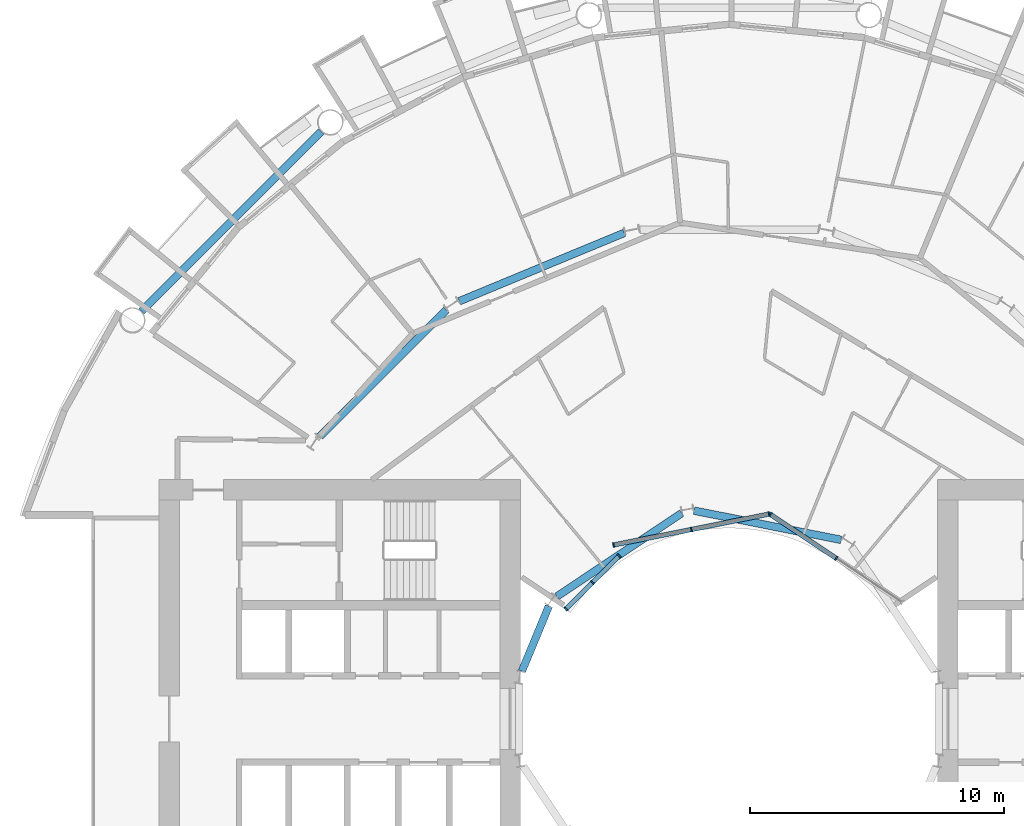
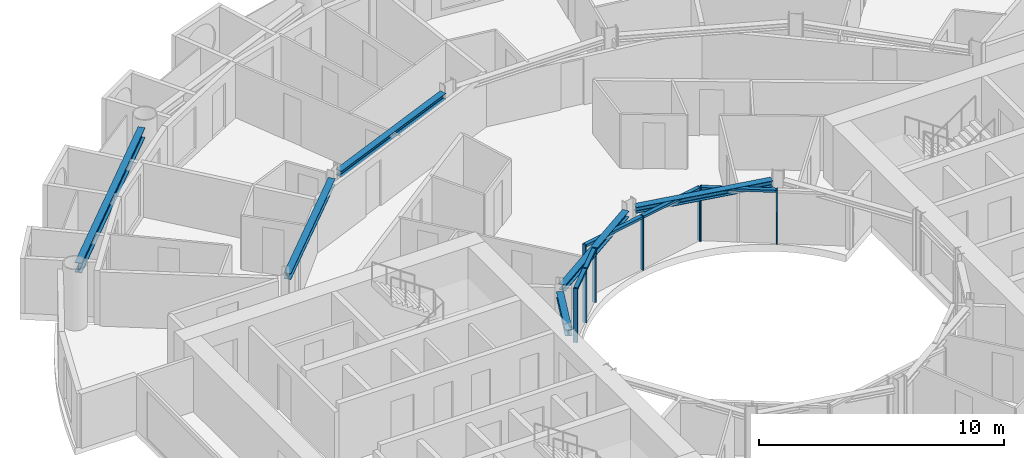
# One storey, part 7 of 26: 13 members, 6 beams, 3 elements without a shape of their own.
"""IFC4 building model written with IfcOpenShell, lengths in metres."""

from ifc_helpers import new_model, si_unit, direction, frame, origin, origin_2d, place, context, subcontext, project, spatial, rectangle, i_section, extrude, material, layer, layer_set, material_profile, profile_set, type_object, element, aggregate, save


model = new_model("IFC4")

# Units and contexts
model_context = context("Model", 3, precision=1e-05, world=origin(), true_north=direction((0.0, 1.0)))
body_context = subcontext(model_context, "Body", "Model", "MODEL_VIEW")
ifc_project = project(units=[si_unit("LENGTHUNIT", "METRE"), si_unit("AREAUNIT", "SQUARE_METRE"), si_unit("VOLUMEUNIT", "CUBIC_METRE"), si_unit("PLANEANGLEUNIT", "RADIAN"), si_unit("MASSUNIT", "GRAM", prefix="KILO")], contexts=[model_context])

# Site, building, storey
site_placement = place(None, origin())
site = spatial("IfcSite", under=ifc_project, at=site_placement, CompositionType="ELEMENT")
building_placement = place(site_placement, origin())
building = spatial("IfcBuilding", under=site, at=building_placement, Name="Maasbend Ring Residences", CompositionType="ELEMENT")
storey_placement = place(building_placement, frame((0.0, 0.0, 50.25)))
storey = spatial("IfcBuildingStorey", under=building, at=storey_placement, Name="L14", CompositionType="ELEMENT", Elevation=50.25)

# Curtain wall, members
ifc_material_1 = material(Name="Aluminium and clear glass", Category="aluminium")
ifc_layer = layer(ifc_material_1, 0.179931640625)
ifc_layer_set = layer_set([ifc_layer], Name="CW-W")
curtain_wall_type = type_object("IfcCurtainWallType", Name="CW-W", PredefinedType="NOTDEFINED", material=ifc_layer_set)
curtain_wall_1_placement = place(storey_placement, origin())
curtain_wall_1 = element("IfcCurtainWall", 1, at=curtain_wall_1_placement, inside=storey, type_object=curtain_wall_type, Name="Well curtain wall N1", PredefinedType="NOTDEFINED")
ifc_material_2 = material(Name="Aluminium 6063-T6", Category="aluminium")
ifc_material_profile_1 = material_profile(ifc_material_2, rectangle(XDim=0.179931640625, YDim=0.06005859375, at=origin_2d()), Name="AL 180x60")
ifc_profile_set_1 = profile_set([ifc_material_profile_1], Name="Aluminium 6063-T6")
member_type_1 = type_object("IfcMemberType", Name="CWM-W", PredefinedType="MULLION", material=ifc_profile_set_1)
member_1_placement = place(storey_placement, frame((4.216796875, 6.310791015625, 0.0), z_axis=(0.0, 0.0, 1.0), x_axis=(-0.55557023302, -0.831469612303, 0.0)))
member_1 = element("IfcMember", 2, at=member_1_placement, type_object=member_type_1, Name="Mullion well face", PredefinedType="MULLION", context=body_context, shape_type="SweptSolid", body=[
    extrude(rectangle(XDim=0.179931640625, YDim=0.06005859375, at=origin_2d()), origin(), (0.0, 0.0, 1.0), 2.699951171875),
])
member_2_placement = place(storey_placement, frame((1.627685546875, 8.040771484375, 0.0), z_axis=(0.0, 0.0, 1.0), x_axis=(-0.55557023302, -0.831469612303, 0.0)))
member_2 = element("IfcMember", 3, at=member_2_placement, type_object=member_type_1, Name="Mullion well face", PredefinedType="MULLION", context=body_context, shape_type="SweptSolid", body=[
    extrude(rectangle(XDim=0.179931640625, YDim=0.06005859375, at=origin_2d()), origin(), (0.0, 0.0, 1.0), 2.699951171875),
])

curtain_wall_2_placement = place(storey_placement, origin())
curtain_wall_2 = element("IfcCurtainWall", 4, at=curtain_wall_2_placement, inside=storey, type_object=curtain_wall_type, Name="Well curtain wall N2", PredefinedType="NOTDEFINED")
member_3_placement = place(storey_placement, frame((1.5732421875, 8.0517578125, 0.0), z_axis=(0.0, 0.0, 1.0), x_axis=(0.195090322016, -0.980785280403, 0.0)))
member_3 = element("IfcMember", 5, at=member_3_placement, type_object=member_type_1, Name="Mullion well face", PredefinedType="MULLION", context=body_context, shape_type="SweptSolid", body=[
    extrude(rectangle(XDim=0.179931640625, YDim=0.06005859375, at=origin_2d()), origin(), (0.0, 0.0, 1.0), 2.699951171875),
])
member_4_placement = place(storey_placement, frame((-1.480712890625, 7.444091796875, 0.0), z_axis=(0.0, 0.0, 1.0), x_axis=(0.195090322016, -0.980785280403, 0.0)))
member_4 = element("IfcMember", 6, at=member_4_placement, type_object=member_type_1, Name="Mullion well face", PredefinedType="MULLION", context=body_context, shape_type="SweptSolid", body=[
    extrude(rectangle(XDim=0.179931640625, YDim=0.06005859375, at=origin_2d()), origin(), (0.0, 0.0, 1.0), 2.699951171875),
])
member_5_placement = place(storey_placement, frame((-4.53466796875, 6.836669921875, 0.0), z_axis=(0.0, 0.0, 1.0), x_axis=(0.195090322016, -0.980785280403, 0.0)))
member_5 = element("IfcMember", 7, at=member_5_placement, type_object=member_type_1, Name="Mullion well face", PredefinedType="MULLION", context=body_context, shape_type="SweptSolid", body=[
    extrude(rectangle(XDim=0.179931640625, YDim=0.06005859375, at=origin_2d()), origin(), (0.0, 0.0, 1.0), 2.699951171875),
])

curtain_wall_3_placement = place(storey_placement, origin())
curtain_wall_3 = element("IfcCurtainWall", 8, at=curtain_wall_3_placement, inside=storey, type_object=curtain_wall_type, Name="Well curtain wall N3", PredefinedType="NOTDEFINED")
member_6_placement = place(storey_placement, frame((-4.320556640625, 6.413330078125, 0.0), z_axis=(0.0, 0.0, 1.0), x_axis=(0.707106781187, -0.707106781187, 0.0)))
member_6 = element("IfcMember", 9, at=member_6_placement, type_object=member_type_1, Name="Mullion well face", PredefinedType="MULLION", context=body_context, shape_type="SweptSolid", body=[
    extrude(rectangle(XDim=0.179931640625, YDim=0.06005859375, at=origin_2d()), origin(), (0.0, 0.0, 1.0), 2.699951171875),
])
member_7_placement = place(storey_placement, frame((-5.366943359375, 5.366943359375, 0.0), z_axis=(0.0, 0.0, 1.0), x_axis=(0.707106781187, -0.707106781187, 0.0)))
member_7 = element("IfcMember", 10, at=member_7_placement, type_object=member_type_1, Name="Mullion well face", PredefinedType="MULLION", context=body_context, shape_type="SweptSolid", body=[
    extrude(rectangle(XDim=0.179931640625, YDim=0.06005859375, at=origin_2d()), origin(), (0.0, 0.0, 1.0), 2.699951171875),
])
member_8_placement = place(storey_placement, frame((-6.413330078125, 4.320556640625, 0.0), z_axis=(0.0, 0.0, 1.0), x_axis=(0.707106781187, -0.707106781187, 0.0)))
member_8 = element("IfcMember", 11, at=member_8_placement, type_object=member_type_1, Name="Mullion well face", PredefinedType="MULLION", context=body_context, shape_type="SweptSolid", body=[
    extrude(rectangle(XDim=0.179931640625, YDim=0.06005859375, at=origin_2d()), origin(), (0.0, 0.0, 1.0), 2.699951171875),
])

# Member
ifc_material_3 = material(Name="Aluminium 6063-T6", Category="aluminium")
ifc_material_profile_2 = material_profile(ifc_material_3, rectangle(XDim=0.179931640625, YDim=0.1201171875, at=origin_2d()), Name="AL 180x120")
ifc_profile_set_2 = profile_set([ifc_material_profile_2], Name="Aluminium 6063-T6")
member_type_2 = type_object("IfcMemberType", Name="CWT-W", PredefinedType="USERDEFINED", material=ifc_profile_set_2)
member_9_placement = place(storey_placement, frame((4.19189453125, 6.32763671875, 2.639892578125), z_axis=(-0.831496422459, 0.555530106689, 0.0), x_axis=(-0.555530106689, -0.831496422459, 0.0)))
member_9 = element("IfcMember", 12, at=member_9_placement, type_object=member_type_2, Name="Transom well face", ObjectType="TRANSOM", PredefinedType="USERDEFINED", context=body_context, shape_type="SweptSolid", body=[
    extrude(rectangle(XDim=0.179931640625, YDim=0.1201171875, at=origin_2d()), origin(), (0.0, 0.0, 1.0), 3.053955078125),
])

aggregate(curtain_wall_1, [member_1, member_2, member_9])

member_10_placement = place(storey_placement, frame((1.5439453125, 8.0458984375, 2.639892578125), z_axis=(-0.980776956105, -0.195132166424, 0.0), x_axis=(0.195132166424, -0.980776956105, 0.0)))
member_10 = element("IfcMember", 13, at=member_10_placement, type_object=member_type_2, Name="Transom well face", ObjectType="TRANSOM", PredefinedType="USERDEFINED", context=body_context, shape_type="SweptSolid", body=[
    extrude(rectangle(XDim=0.179931640625, YDim=0.1201171875, at=origin_2d()), origin(), (0.0, 0.0, 1.0), 3.053955078125),
])

member_11_placement = place(storey_placement, frame((-1.51025390625, 7.438232421875, 2.639892578125), z_axis=(-0.980789210404, -0.19507056353, 0.0), x_axis=(0.19507056353, -0.980789210404, 0.0)))
member_11 = element("IfcMember", 14, at=member_11_placement, type_object=member_type_2, Name="Transom well face", ObjectType="TRANSOM", PredefinedType="USERDEFINED", context=body_context, shape_type="SweptSolid", body=[
    extrude(rectangle(XDim=0.179931640625, YDim=0.1201171875, at=origin_2d()), origin(), (0.0, 0.0, 1.0), 3.0537109375),
])

aggregate(curtain_wall_2, [member_3, member_4, member_5, member_10, member_11])

member_12_placement = place(storey_placement, frame((-4.341796875, 6.39208984375, 2.639892578125), z_axis=(-0.707106781187, -0.707106781187, 0.0), x_axis=(0.707106781187, -0.707106781187, 0.0)))
member_12 = element("IfcMember", 15, at=member_12_placement, type_object=member_type_2, Name="Transom well face", ObjectType="TRANSOM", PredefinedType="USERDEFINED", context=body_context, shape_type="SweptSolid", body=[
    extrude(rectangle(XDim=0.179931640625, YDim=0.1201171875, at=origin_2d()), origin(), (0.0, 0.0, 1.0), 1.419677734375),
])

member_13_placement = place(storey_placement, frame((-5.38818359375, 5.345703125, 2.639892578125), z_axis=(-0.707106781187, -0.707106781187, 0.0), x_axis=(0.707106781187, -0.707106781187, 0.0)))
member_13 = element("IfcMember", 16, at=member_13_placement, type_object=member_type_2, Name="Transom well face", ObjectType="TRANSOM", PredefinedType="USERDEFINED", context=body_context, shape_type="SweptSolid", body=[
    extrude(rectangle(XDim=0.179931640625, YDim=0.1201171875, at=origin_2d()), origin(), (0.0, 0.0, 1.0), 1.419677734375),
])

aggregate(curtain_wall_3, [member_6, member_7, member_8, member_12, member_13])

# Beams
ifc_material_4 = material(Name="Steel S355J2", Category="steel")
ifc_material_profile_3 = material_profile(ifc_material_4, i_section(OverallWidth=0.300048828125, OverallDepth=0.300048828125, WebThickness=0.010986328125, FlangeThickness=0.01904296875, FilletRadius=0.027099609375, at=origin_2d()), Name="HEB 300")
ifc_profile_set_3 = profile_set([ifc_material_profile_3], Name="Steel S355J2")
beam_type_1 = type_object("IfcBeamType", Name="Corridor ring beam HEB 300", PredefinedType="BEAM", material=ifc_profile_set_3)
beam_1_placement = place(storey_placement, frame((-4.11572265625, 19.102294921875, 2.550048828125), z_axis=(-0.923886196809, -0.38266734293, 0.0), x_axis=(0.38266734293, -0.923886196809, 0.0)))
element("IfcBeam", 17, at=beam_1_placement, inside=storey, type_object=beam_type_1, Name="Corridor ring beam", PredefinedType="BEAM", context=body_context, shape_type="SweptSolid", body=[
    extrude(i_section(OverallWidth=0.300048828125, OverallDepth=0.300048828125, WebThickness=0.010986328125, FlangeThickness=0.01904296875, FilletRadius=0.027099609375, at=origin_2d()), origin(), (0.0, 0.0, 1.0), 7.015380859375),
])
beam_2_placement = place(storey_placement, frame((-11.11279296875, 16.0732421875, 2.550048828125), z_axis=(-0.707106781187, -0.707106781187, 0.0), x_axis=(0.707106781187, -0.707106781187, 0.0)))
element("IfcBeam", 18, at=beam_2_placement, inside=storey, type_object=beam_type_1, Name="Corridor ring beam", PredefinedType="BEAM", context=body_context, shape_type="SweptSolid", body=[
    extrude(i_section(OverallWidth=0.300048828125, OverallDepth=0.300048828125, WebThickness=0.010986328125, FlangeThickness=0.01904296875, FilletRadius=0.027099609375, at=origin_2d()), origin(), (0.0, 0.0, 1.0), 7.01513671875),
])
ifc_material_5 = material(Name="Steel S355J2", Category="steel")
ifc_material_profile_4 = material_profile(ifc_material_5, i_section(OverallWidth=0.300048828125, OverallDepth=0.5, WebThickness=0.014404296875, FlangeThickness=0.028076171875, FilletRadius=0.027099609375, at=origin_2d()), Name="HEB 500")
ifc_profile_set_4 = profile_set([ifc_material_profile_4], Name="Steel S355J2")
beam_type_2 = type_object("IfcBeamType", Name="Spandrel ring beam HEB 500", PredefinedType="SPANDREL", material=ifc_profile_set_4)
beam_3_placement = place(storey_placement, frame((-16.0263671875, 23.088134765625, 2.449951171875), z_axis=(-0.707106781187, -0.707106781187, 0.0), x_axis=(0.707106781187, -0.707106781187, 0.0)))
element("IfcBeam", 19, at=beam_3_placement, inside=storey, type_object=beam_type_2, Name="Spandrel ring beam", PredefinedType="SPANDREL", context=body_context, shape_type="SweptSolid", body=[
    extrude(i_section(OverallWidth=0.300048828125, OverallDepth=0.5, WebThickness=0.014404296875, FlangeThickness=0.028076171875, FilletRadius=0.027099609375, at=origin_2d()), origin(), (0.0, 0.0, 1.0), 9.98681640625),
])
ifc_material_6 = material(Name="Steel S355J2", Category="steel")
ifc_material_profile_5 = material_profile(ifc_material_6, i_section(OverallWidth=0.300048828125, OverallDepth=0.300048828125, WebThickness=0.010986328125, FlangeThickness=0.01904296875, FilletRadius=0.027099609375, at=origin_2d()), Name="HEB 300")
ifc_profile_set_5 = profile_set([ifc_material_profile_5], Name="Steel S355J2")
beam_type_3 = type_object("IfcBeamType", Name="Well edge beam HEB 300", PredefinedType="BEAM", material=ifc_profile_set_5)
beam_4_placement = place(storey_placement, frame((4.4013671875, 7.037109375, 2.550048828125), z_axis=(-0.980784282486, 0.195095338819, 0.0), x_axis=(-0.195095338819, -0.980784282486, 0.0)))
element("IfcBeam", 20, at=beam_4_placement, inside=storey, type_object=beam_type_3, Name="Well edge beam", PredefinedType="BEAM", context=body_context, shape_type="SweptSolid", body=[
    extrude(i_section(OverallWidth=0.300048828125, OverallDepth=0.300048828125, WebThickness=0.010986328125, FlangeThickness=0.01904296875, FilletRadius=0.027099609375, at=origin_2d()), origin(), (0.0, 0.0, 1.0), 5.8876953125),
])
beam_5_placement = place(storey_placement, frame((-1.86376953125, 8.08837890625, 2.550048828125), z_axis=(-0.831456549723, -0.555589782054, 0.0), x_axis=(0.555589782054, -0.831456549723, 0.0)))
element("IfcBeam", 21, at=beam_5_placement, inside=storey, type_object=beam_type_3, Name="Well edge beam", PredefinedType="BEAM", context=body_context, shape_type="SweptSolid", body=[
    extrude(i_section(OverallWidth=0.300048828125, OverallDepth=0.300048828125, WebThickness=0.010986328125, FlangeThickness=0.01904296875, FilletRadius=0.027099609375, at=origin_2d()), origin(), (0.0, 0.0, 1.0), 5.887939453125),
])
beam_6_placement = place(storey_placement, frame((-7.081787109375, 4.431396484375, 2.550048828125), z_axis=(-0.382723119906, -0.923863092395, 0.0), x_axis=(0.923863092395, -0.382723119906, 0.0)))
element("IfcBeam", 22, at=beam_6_placement, inside=storey, type_object=beam_type_3, Name="Well edge beam", PredefinedType="BEAM", context=body_context, shape_type="SweptSolid", body=[
    extrude(i_section(OverallWidth=0.300048828125, OverallDepth=0.300048828125, WebThickness=0.010986328125, FlangeThickness=0.01904296875, FilletRadius=0.027099609375, at=origin_2d()), origin(), (0.0, 0.0, 1.0), 2.767822265625),
])

save(model, "model.ifc")
